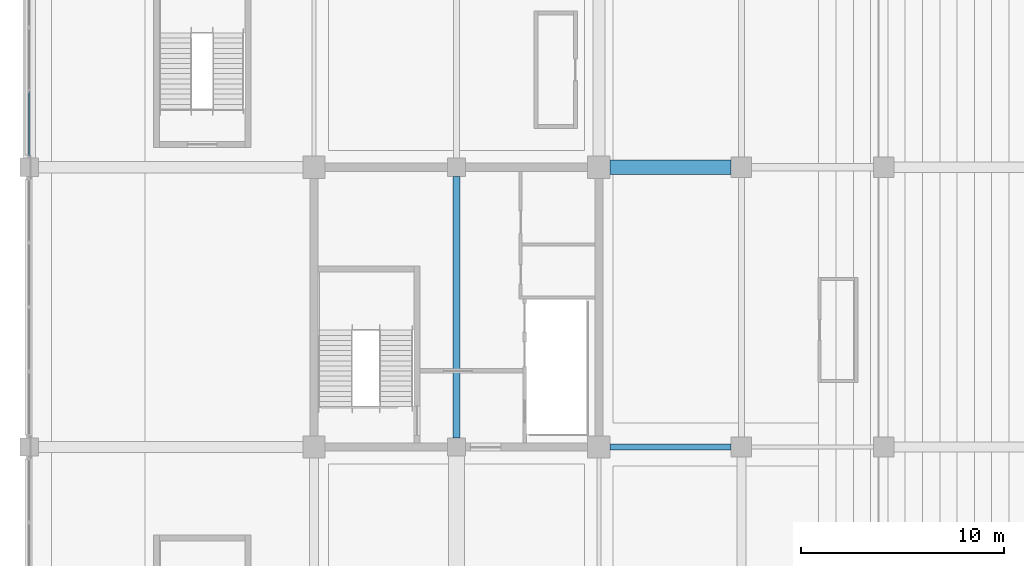
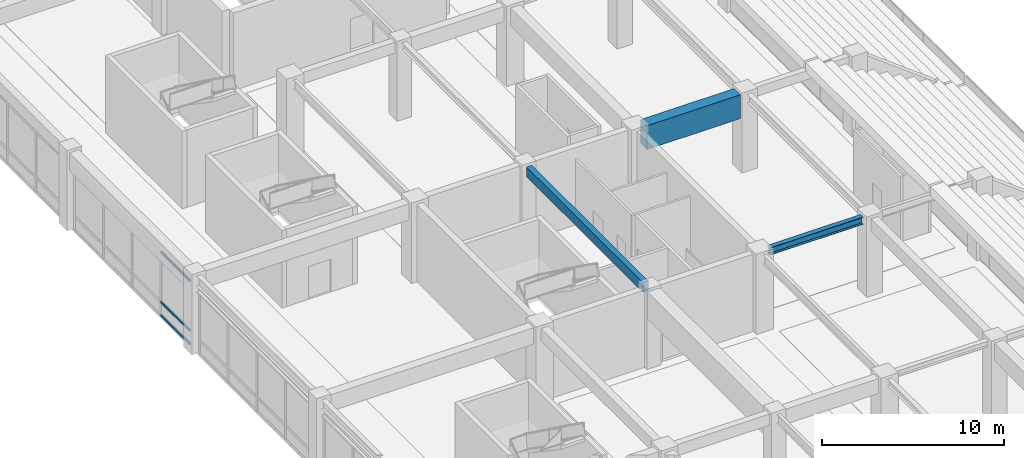
# One storey, part 44 of 117: 3 beams, 3 members, 1 element without a shape of its own.
"""IFC4 building model written with IfcOpenShell, lengths in metres."""

from ifc_helpers import new_model, si_unit, direction, frame, origin, origin_2d, place, context, subcontext, project, spatial, rectangle, hollow_rectangle, i_section, extrude, material, material_profile, profile_set, type_object, element, aggregate, save


model = new_model("IFC4")

# Units and contexts
model_context = context("Model", 3, precision=1e-05, world=origin(), true_north=direction((0.0, 1.0)))
body_context = subcontext(model_context, "Body", "Model", "MODEL_VIEW")
ifc_project = project(units=[si_unit("LENGTHUNIT", "METRE"), si_unit("AREAUNIT", "SQUARE_METRE"), si_unit("VOLUMEUNIT", "CUBIC_METRE"), si_unit("PLANEANGLEUNIT", "RADIAN"), si_unit("MASSUNIT", "GRAM", prefix="KILO")], contexts=[model_context])

# Site, building, storey
site_placement = place(None, origin())
site = spatial("IfcSite", under=ifc_project, at=site_placement, CompositionType="ELEMENT")
building_placement = place(site_placement, origin())
building = spatial("IfcBuilding", under=site, at=building_placement, Name="Linyun Crest Stadium", CompositionType="ELEMENT")
storey_placement = place(building_placement, frame((0.0, 0.0, 6.0)))
storey = spatial("IfcBuildingStorey", under=building, at=storey_placement, Name="L02", CompositionType="ELEMENT", Elevation=6.0)

# Beams
ifc_material_1 = material(Name="Concrete C40", Category="concrete")
ifc_material_profile_1 = material_profile(ifc_material_1, rectangle(XDim=0.35009765625, YDim=0.64990234375, at=origin_2d()), Name="RCB 650x350")
ifc_profile_set_1 = profile_set([ifc_material_profile_1], Name="Concrete C40")
beam_type_1 = type_object("IfcBeamType", Name="B02", PredefinedType="BEAM", material=ifc_profile_set_1)
beam_1_placement = place(storey_placement, frame((-77.0, 2.574951171875, 4.875), z_axis=(0.0, 1.0, 0.0), x_axis=(-1.0, 0.0, 0.0)))
element("IfcBeam", 1, at=beam_1_placement, inside=storey, type_object=beam_type_1, Name="Frame beam B02 L02 213", PredefinedType="BEAM", context=body_context, shape_type="SweptSolid", body=[
    extrude(rectangle(XDim=0.35009765625, YDim=0.64990234375, at=origin_2d()), origin(), (0.0, 0.0, 1.0), 12.85009765625),
])
ifc_material_2 = material(Name="Steel Q355C", Category="steel")
ifc_material_profile_2 = material_profile(ifc_material_2, i_section(OverallWidth=0.300048828125, OverallDepth=0.488037109375, WebThickness=0.010986328125, FlangeThickness=0.01806640625, at=origin_2d()), Name="HM 488x300")
ifc_profile_set_2 = profile_set([ifc_material_profile_2], Name="Steel Q355C")
beam_type_2 = type_object("IfcBeamType", Name="B08", PredefinedType="BEAM", material=ifc_profile_set_2)
beam_2_placement = place(storey_placement, frame((-69.449951171875, 2.125, 4.9560546875), z_axis=(1.0, 0.0, 0.0), x_axis=(0.0, 1.0, 0.0)))
element("IfcBeam", 2, at=beam_2_placement, inside=storey, type_object=beam_type_2, Name="Frame beam B08 L02 185", PredefinedType="BEAM", context=body_context, shape_type="SweptSolid", body=[
    extrude(i_section(OverallWidth=0.300048828125, OverallDepth=0.488037109375, WebThickness=0.010986328125, FlangeThickness=0.01806640625, at=origin_2d()), origin(), (0.0, 0.0, 1.0), 5.949951171875),
])
ifc_material_3 = material(Name="Concrete C50", Category="concrete")
ifc_material_profile_3 = material_profile(ifc_material_3, rectangle(XDim=0.699951171875, YDim=1.60009765625, at=origin_2d()), Name="RCB 1600x700")
ifc_profile_set_3 = profile_set([ifc_material_profile_3], Name="Concrete C50")
beam_type_3 = type_object("IfcBeamType", Name="B13", PredefinedType="BEAM", material=ifc_profile_set_3)
beam_3_placement = place(storey_placement, frame((-69.449951171875, 15.875, 4.39990234375), z_axis=(1.0, 0.0, 0.0), x_axis=(0.0, 1.0, 0.0)))
element("IfcBeam", 3, at=beam_3_placement, inside=storey, type_object=beam_type_3, Name="Frame beam B13 L02 188", PredefinedType="BEAM", context=body_context, shape_type="SweptSolid", body=[
    extrude(rectangle(XDim=0.699951171875, YDim=1.60009765625, at=origin_2d()), origin(), (0.0, 0.0, 1.0), 5.949951171875),
])

# Curtain wall, members
ifc_material_4 = material(Name="Verdigris steel and low-E curtain wall assembly", Category="steel")
curtain_wall_type = type_object("IfcCurtainWallType", Name="MCW01", PredefinedType="NOTDEFINED", material=ifc_material_4)
curtain_wall_placement = place(storey_placement, origin())
curtain_wall = element("IfcCurtainWall", 4, at=curtain_wall_placement, inside=storey, type_object=curtain_wall_type, Name="CWR-109", PredefinedType="NOTDEFINED")
ifc_material_5 = material(Name="Aluminium thermally broken transom", Category="aluminium")
ifc_material_profile_4 = material_profile(ifc_material_5, hollow_rectangle(XDim=0.080078125, YDim=0.159912109375, WallThickness=0.006103515625, at=origin_2d()), Name="RHS 160x80x6")
ifc_profile_set_4 = profile_set([ifc_material_profile_4], Name="Aluminium thermally broken transom")
member_type = type_object("IfcMemberType", Name="TR01", PredefinedType="USERDEFINED", material=ifc_profile_set_4)
member_1_placement = place(storey_placement, frame((-98.0, 16.425048828125, 0.0), z_axis=(0.0, 1.0, 0.0), x_axis=(-1.0, 0.0, 0.0)))
member_1 = element("IfcMember", 5, at=member_1_placement, type_object=member_type, Name="CWR-109 transom 1.1", ObjectType="TRANSOM", PredefinedType="USERDEFINED", context=body_context, shape_type="SweptSolid", body=[
    extrude(hollow_rectangle(XDim=0.080078125, YDim=0.159912109375, WallThickness=0.006103515625, at=origin_2d()), origin(), (0.0, 0.0, 1.0), 3.162841796875),
])
member_2_placement = place(storey_placement, frame((-98.0, 16.425048828125, 0.89990234375), z_axis=(0.0, 1.0, 0.0), x_axis=(-1.0, 0.0, 0.0)))
member_2 = element("IfcMember", 6, at=member_2_placement, type_object=member_type, Name="CWR-109 transom 1.2", ObjectType="TRANSOM", PredefinedType="USERDEFINED", context=body_context, shape_type="SweptSolid", body=[
    extrude(hollow_rectangle(XDim=0.080078125, YDim=0.159912109375, WallThickness=0.006103515625, at=origin_2d()), origin(), (0.0, 0.0, 1.0), 3.162841796875),
])
member_3_placement = place(storey_placement, frame((-98.0, 16.425048828125, 4.25), z_axis=(0.0, 1.0, 0.0), x_axis=(-1.0, 0.0, 0.0)))
member_3 = element("IfcMember", 7, at=member_3_placement, type_object=member_type, Name="CWR-109 transom 1.3", ObjectType="TRANSOM", PredefinedType="USERDEFINED", context=body_context, shape_type="SweptSolid", body=[
    extrude(hollow_rectangle(XDim=0.080078125, YDim=0.159912109375, WallThickness=0.006103515625, at=origin_2d()), origin(), (0.0, 0.0, 1.0), 3.162841796875),
])
aggregate(curtain_wall, [member_1, member_2, member_3])

save(model, "model.ifc")
